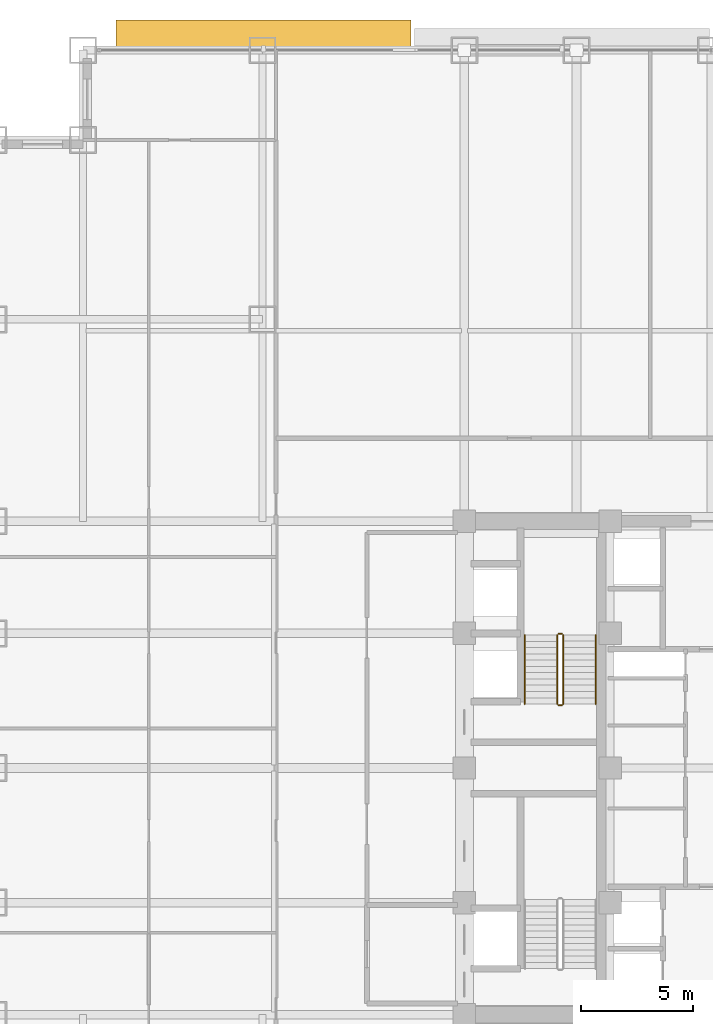
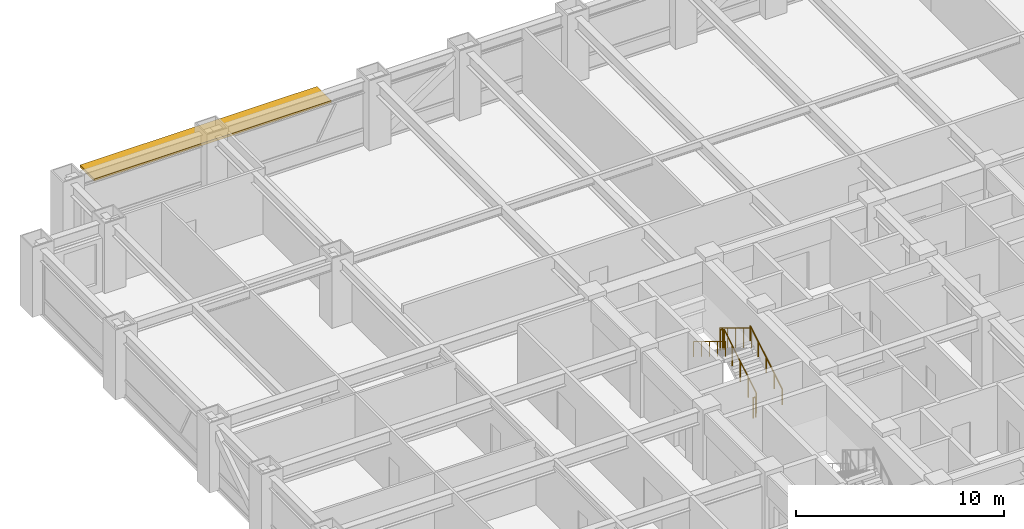
# One storey, part 31 of 32: 6 railings, 1 shading device.
"""IFC4 building model written with IfcOpenShell, lengths in metres."""

from ifc_helpers import new_model, si_unit, direction, frame, origin, origin_2d, place, context, subcontext, project, spatial, rectangle, circle, extrude, source, transform, mapped, material, layer, layer_set, type_object, element, save


model = new_model("IFC4")

# Units and contexts
model_context = context("Model", 3, precision=1e-05, world=origin(), true_north=direction((0.0, 1.0)))
body_context = subcontext(model_context, "Body", "Model", "MODEL_VIEW")
ifc_project = project(units=[si_unit("LENGTHUNIT", "METRE"), si_unit("AREAUNIT", "SQUARE_METRE"), si_unit("VOLUMEUNIT", "CUBIC_METRE"), si_unit("PLANEANGLEUNIT", "RADIAN"), si_unit("MASSUNIT", "GRAM", prefix="KILO")], contexts=[model_context])

# Site, building, storey
site_placement = place(None, origin())
site = spatial("IfcSite", under=ifc_project, at=site_placement, CompositionType="ELEMENT")
building_placement = place(site_placement, origin())
building = spatial("IfcBuilding", under=site, at=building_placement, Name="Khorayat Bourse Tower", CompositionType="ELEMENT")
storey_placement = place(building_placement, frame((0.0, 0.0, 132.39990234375)))
storey = spatial("IfcBuildingStorey", under=building, at=storey_placement, Name="L30", CompositionType="ELEMENT", Elevation=132.39990234375)

# Shading device
ifc_material_1 = material(Name="Precast concrete C45/55", Category="concrete")
ifc_layer = layer(ifc_material_1, 0.139892578125)
ifc_layer_set = layer_set([ifc_layer], Name="Precast concrete C45/55")
shading_device_type = type_object("IfcShadingDeviceType", Name="SHD-WAVE-TRAY-B", PredefinedType="USERDEFINED", material=ifc_layer_set)
shared_shape_1 = source(origin(), body_context, "Body", "SweptSolid", [
    extrude(rectangle(XDim=13.159912109375, YDim=1.3671875, at=origin_2d()), origin(), (0.0, 0.0, 1.0), 0.139892578125),
])
shading_device_placement = place(storey_placement, frame((-19.949951171875, 32.66357421875, 3.09033203125), z_axis=(0.0, 0.0, 1.0), x_axis=(1.0, 0.0, 0.0)))
element("IfcShadingDevice", 1, at=shading_device_placement, inside=storey, type_object=shading_device_type, Name="L30 Sinusoidal Wave Sunshade Tray N-1", ObjectType="SUNSHADE", PredefinedType="USERDEFINED", context=body_context, shape_type="MappedRepresentation", body=[
    mapped(shared_shape_1, transform((0.0, 0.0, 0.0), scale=1.0)),
])

# Railings
ifc_material_2 = material(Name="Powder-coated steel balustrade", Category="steel")
railing_type_1 = type_object("IfcRailingType", Name="RLG-GUARD-1200", PredefinedType="GUARDRAIL", material=ifc_material_2)
shared_shape_2 = source(origin(), body_context, "Body", "SweptSolid", [
    extrude(circle(Radius=0.02392578125, at=origin_2d()), frame((0.0, 0.0, 1.17578125), z_axis=(-1.0, 0.0, 0.0), x_axis=(0.0, -1.0, 0.0)), (0.0, 0.0, 1.0), 0.150146484375),
    extrude(circle(Radius=0.02099609375, at=origin_2d()), origin(), (0.0, 0.0, 1.0), 1.15185546875),
    extrude(circle(Radius=0.02099609375, at=origin_2d()), frame((-0.150146484375, 0.0, 0.0)), (0.0, 0.0, 1.0), 1.15185546875),
])
for number, where, name in (
    (2, (-6.64990234375, 5.97998046875, 2.050048828125), "L30 ST-2 stair guard 2"),
    (3, (-6.64990234375, 2.800048828125, 0.0), "L30 ST-2 stair guard 4"),
):
    element("IfcRailing", number, at=place(storey_placement, frame(where)), inside=storey, type_object=railing_type_1, Name=name, PredefinedType="GUARDRAIL", context=body_context, shape_type="MappedRepresentation", body=[
        mapped(shared_shape_2, transform((0.0, 0.0, 0.0), scale=1.0)),
    ])
shared_shape_3 = source(origin(), body_context, "Body", "SweptSolid", [
    extrude(circle(Radius=0.02392578125, at=origin_2d()), frame((0.0, 0.0, 1.17578125), z_axis=(0.0, 0.853647949592, 0.520850437417), x_axis=(-1.0, 0.0, 0.0)), (0.0, 0.0, 1.0), 3.60791015625),
    extrude(circle(Radius=0.02099609375, at=origin_2d()), origin(), (0.0, 0.0, 1.0), 1.15185546875),
    extrude(circle(Radius=0.02099609375, at=origin_2d()), frame((0.0, 0.77001953125, 0.4697265625)), (0.0, 0.0, 1.0), 1.15185546875),
    extrude(circle(Radius=0.02099609375, at=origin_2d()), frame((0.0, 1.5400390625, 0.939453125)), (0.0, 0.0, 1.0), 1.15185546875),
    extrude(circle(Radius=0.02099609375, at=origin_2d()), frame((0.0, 2.309814453125, 1.409423828125)), (0.0, 0.0, 1.0), 1.15185546875),
    extrude(circle(Radius=0.02099609375, at=origin_2d()), frame((0.0, 3.079833984375, 1.879150390625)), (0.0, 0.0, 1.0), 1.15185546875),
])
railing_1_placement = place(storey_placement, frame((-6.60009765625, 2.85009765625, 0.1708984375)))
element("IfcRailing", 4, at=railing_1_placement, inside=storey, type_object=railing_type_1, Name="L30 ST-2 stair guard 1", PredefinedType="GUARDRAIL", context=body_context, shape_type="MappedRepresentation", body=[
    mapped(shared_shape_3, transform((0.0, 0.0, 0.0), scale=1.0)),
])
shared_shape_4 = source(origin(), body_context, "Body", "SweptSolid", [
    extrude(circle(Radius=0.02392578125, at=origin_2d()), frame((0.0, 0.0, 1.17578125), z_axis=(0.0, -0.853647949592, 0.520850437417), x_axis=(1.0, 0.0, 0.0)), (0.0, 0.0, 1.0), 3.60791015625),
    extrude(circle(Radius=0.02099609375, at=origin_2d()), origin(), (0.0, 0.0, 1.0), 1.15185546875),
    extrude(circle(Radius=0.02099609375, at=origin_2d()), frame((0.0, -0.77001953125, 0.4697265625)), (0.0, 0.0, 1.0), 1.15185546875),
    extrude(circle(Radius=0.02099609375, at=origin_2d()), frame((0.0, -1.5400390625, 0.939453125)), (0.0, 0.0, 1.0), 1.15185546875),
    extrude(circle(Radius=0.02099609375, at=origin_2d()), frame((0.0, -2.309814453125, 1.409423828125)), (0.0, 0.0, 1.0), 1.15185546875),
    extrude(circle(Radius=0.02099609375, at=origin_2d()), frame((0.0, -3.079833984375, 1.879150390625)), (0.0, 0.0, 1.0), 1.15185546875),
])
railing_2_placement = place(storey_placement, frame((-6.85009765625, 5.929931640625, 2.220947265625)))
element("IfcRailing", 5, at=railing_2_placement, inside=storey, type_object=railing_type_1, Name="L30 ST-2 stair guard 3", PredefinedType="GUARDRAIL", context=body_context, shape_type="MappedRepresentation", body=[
    mapped(shared_shape_4, transform((0.0, 0.0, 0.0), scale=1.0)),
])
ifc_material_3 = material(Name="Brushed bronze stainless-steel handrail", Category="steel")
railing_type_2 = type_object("IfcRailingType", Name="RLG-HAND-900", PredefinedType="HANDRAIL", material=ifc_material_3)
shared_shape_5 = source(origin(), body_context, "Body", "SweptSolid", [
    extrude(circle(Radius=0.02392578125, at=origin_2d()), frame((0.0, 0.0, 0.8759765625), z_axis=(0.0, 0.853647949592, 0.520850437417), x_axis=(-1.0, 0.0, 0.0)), (0.0, 0.0, 1.0), 3.60791015625),
    extrude(circle(Radius=0.02099609375, at=origin_2d()), origin(), (0.0, 0.0, 1.0), 0.851806640625),
    extrude(circle(Radius=0.02099609375, at=origin_2d()), frame((0.0, 0.77001953125, 0.4697265625)), (0.0, 0.0, 1.0), 0.851806640625),
    extrude(circle(Radius=0.02099609375, at=origin_2d()), frame((0.0, 1.5400390625, 0.939453125)), (0.0, 0.0, 1.0), 0.851806640625),
    extrude(circle(Radius=0.02099609375, at=origin_2d()), frame((0.0, 2.309814453125, 1.409423828125)), (0.0, 0.0, 1.0), 0.851806640625),
    extrude(circle(Radius=0.02099609375, at=origin_2d()), frame((0.0, 3.079833984375, 1.879150390625)), (0.0, 0.0, 1.0), 0.851806640625),
])
railing_3_placement = place(storey_placement, frame((-5.14990234375, 2.85009765625, 0.1708984375)))
element("IfcRailing", 6, at=railing_3_placement, inside=storey, type_object=railing_type_2, Name="L30 ST-2 stair handrail 1", PredefinedType="HANDRAIL", context=body_context, shape_type="MappedRepresentation", body=[
    mapped(shared_shape_5, transform((0.0, 0.0, 0.0), scale=1.0)),
])
shared_shape_6 = source(origin(), body_context, "Body", "SweptSolid", [
    extrude(circle(Radius=0.02392578125, at=origin_2d()), frame((0.0, 0.0, 0.8759765625), z_axis=(0.0, -0.853647949592, 0.520850437417), x_axis=(1.0, 0.0, 0.0)), (0.0, 0.0, 1.0), 3.60791015625),
    extrude(circle(Radius=0.02099609375, at=origin_2d()), origin(), (0.0, 0.0, 1.0), 0.851806640625),
    extrude(circle(Radius=0.02099609375, at=origin_2d()), frame((0.0, -0.77001953125, 0.4697265625)), (0.0, 0.0, 1.0), 0.851806640625),
    extrude(circle(Radius=0.02099609375, at=origin_2d()), frame((0.0, -1.5400390625, 0.939453125)), (0.0, 0.0, 1.0), 0.851806640625),
    extrude(circle(Radius=0.02099609375, at=origin_2d()), frame((0.0, -2.309814453125, 1.409423828125)), (0.0, 0.0, 1.0), 0.851806640625),
    extrude(circle(Radius=0.02099609375, at=origin_2d()), frame((0.0, -3.079833984375, 1.879150390625)), (0.0, 0.0, 1.0), 0.851806640625),
])
railing_4_placement = place(storey_placement, frame((-8.300048828125, 5.929931640625, 2.220947265625)))
element("IfcRailing", 7, at=railing_4_placement, inside=storey, type_object=railing_type_2, Name="L30 ST-2 stair handrail 2", PredefinedType="HANDRAIL", context=body_context, shape_type="MappedRepresentation", body=[
    mapped(shared_shape_6, transform((0.0, 0.0, 0.0), scale=1.0)),
])

save(model, "model.ifc")
